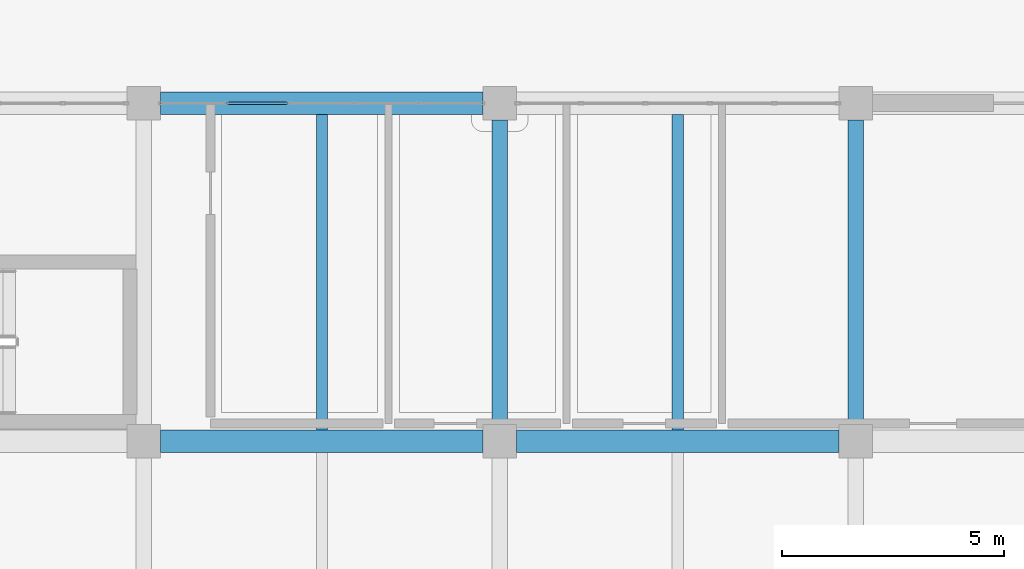
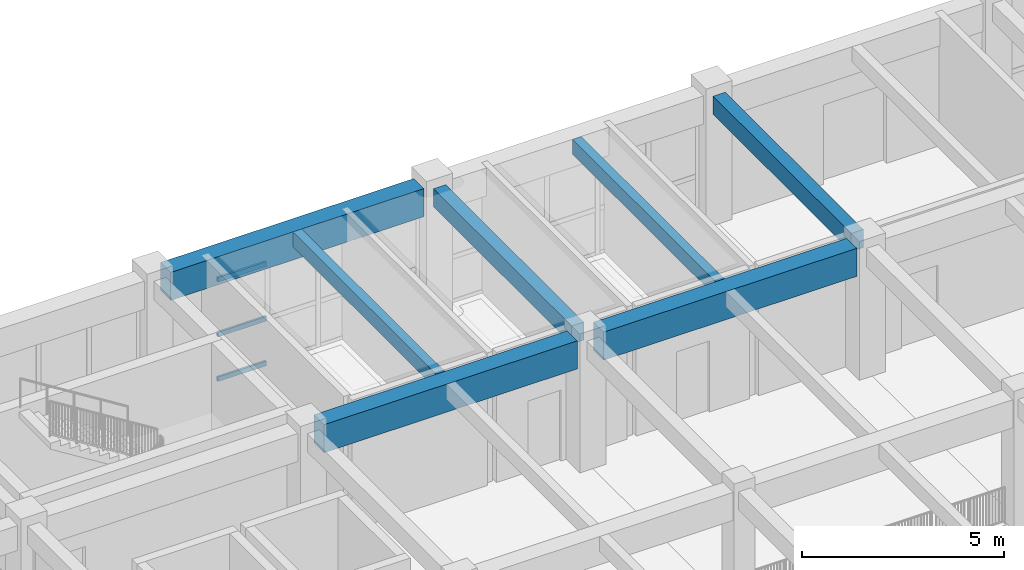
# One storey, part 24 of 63: 7 beams, 3 members, 1 element without a shape of its own.
"""IFC4 building model written with IfcOpenShell, lengths in metres."""

from ifc_helpers import new_model, si_unit, direction, frame, origin, origin_2d, place, context, subcontext, project, spatial, rectangle, hollow_rectangle, extrude, material, material_profile, profile_set, type_object, element, aggregate, save


model = new_model("IFC4")

# Units and contexts
model_context = context("Model", 3, precision=1e-05, world=origin(), true_north=direction((0.0, 1.0)))
body_context = subcontext(model_context, "Body", "Model", "MODEL_VIEW")
ifc_project = project(units=[si_unit("LENGTHUNIT", "METRE"), si_unit("AREAUNIT", "SQUARE_METRE"), si_unit("VOLUMEUNIT", "CUBIC_METRE"), si_unit("PLANEANGLEUNIT", "RADIAN"), si_unit("MASSUNIT", "GRAM", prefix="KILO")], contexts=[model_context])

# Site, building, storey
site_placement = place(None, origin())
site = spatial("IfcSite", under=ifc_project, at=site_placement, CompositionType="ELEMENT")
building_placement = place(site_placement, origin())
building = spatial("IfcBuilding", under=site, at=building_placement, Name="Zantavel Square City Hall", CompositionType="ELEMENT")
storey_placement = place(building_placement, frame((0.0, 0.0, 14.699951171875)))
storey = spatial("IfcBuildingStorey", under=building, at=storey_placement, Name="L04", CompositionType="ELEMENT", Elevation=14.699951171875)

# Curtain wall, members
ifc_material_1 = material(Name="Anodised aluminium 6063-T6", Category="aluminium")
curtain_wall_type = type_object("IfcCurtainWallType", Name="Curtain Wall TRV1 7250x3070", PredefinedType="USERDEFINED", material=ifc_material_1)
curtain_wall_placement = place(storey_placement, origin())
curtain_wall = element("IfcCurtainWall", 1, at=curtain_wall_placement, inside=storey, type_object=curtain_wall_type, Name="L04 Glazed Curtain Wall CW-L04-108", ObjectType="GLAZED CURTAIN WALL", PredefinedType="USERDEFINED")
ifc_material_profile_1 = material_profile(ifc_material_1, hollow_rectangle(XDim=0.06005859375, YDim=0.139892578125, WallThickness=0.00390625, at=origin_2d()), Name="ALU 60x140x4")
ifc_profile_set_1 = profile_set([ifc_material_profile_1], Name="Anodised aluminium 6063-T6")
member_type = type_object("IfcMemberType", Name="CW Transom ALU 60x140x4", PredefinedType="USERDEFINED", material=ifc_profile_set_1)
member_1_placement = place(storey_placement, frame((73.85498046875, 68.39990234375, 0.030029296875), z_axis=(1.0, 0.0, 0.0), x_axis=(0.0, 1.0, 0.0)))
member_1 = element("IfcMember", 2, at=member_1_placement, type_object=member_type, Name="CW-108 transom 2.1", ObjectType="TRANSOM", PredefinedType="USERDEFINED", context=body_context, shape_type="SweptSolid", body=[
    extrude(hollow_rectangle(XDim=0.06005859375, YDim=0.139892578125, WallThickness=0.00390625, at=origin_2d()), origin(), (0.0, 0.0, 1.0), 1.39013671875),
])
member_2_placement = place(storey_placement, frame((73.85498046875, 68.39990234375, 1.381103515625), z_axis=(1.0, 0.0, 0.0), x_axis=(0.0, 1.0, 0.0)))
member_2 = element("IfcMember", 3, at=member_2_placement, type_object=member_type, Name="CW-108 transom 2.2", ObjectType="TRANSOM", PredefinedType="USERDEFINED", context=body_context, shape_type="SweptSolid", body=[
    extrude(hollow_rectangle(XDim=0.06005859375, YDim=0.139892578125, WallThickness=0.00390625, at=origin_2d()), origin(), (0.0, 0.0, 1.0), 1.39013671875),
])
member_3_placement = place(storey_placement, frame((73.85498046875, 68.39990234375, 3.0400390625), z_axis=(1.0, 0.0, 0.0), x_axis=(0.0, 1.0, 0.0)))
member_3 = element("IfcMember", 4, at=member_3_placement, type_object=member_type, Name="CW-108 transom 2.3", ObjectType="TRANSOM", PredefinedType="USERDEFINED", context=body_context, shape_type="SweptSolid", body=[
    extrude(hollow_rectangle(XDim=0.06005859375, YDim=0.139892578125, WallThickness=0.00390625, at=origin_2d()), origin(), (0.0, 0.0, 1.0), 1.39013671875),
])
aggregate(curtain_wall, [member_1, member_2, member_3])

# Beams
ifc_material_2 = material(Name="Concrete C40/50", Category="concrete")
ifc_material_profile_2 = material_profile(ifc_material_2, rectangle(XDim=0.5, YDim=0.85009765625, at=origin_2d()), Name="RC 500x850")
ifc_profile_set_2 = profile_set([ifc_material_profile_2], Name="Concrete C40/50")
beam_type_1 = type_object("IfcBeamType", Name="Council Chamber Girder RC 500x850 C40/50", PredefinedType="BEAM", material=ifc_profile_set_2)
for number, where, z_axis, x_axis, name in (
    (5, (72.375, 60.800048828125, 3.4951171875), (1.0, 0.0, 0.0), (0.0, 1.0, 0.0), "L04 Girder BMX-L04-0720-0608"),
    (6, (72.375, 68.39990234375, 3.4951171875), (1.0, 0.0, 0.0), (0.0, 1.0, 0.0), "L04 Girder BMX-L04-0720-0684"),
    (7, (80.375, 60.800048828125, 3.4951171875), (1.0, 0.0, 0.0), (0.0, 1.0, 0.0), "L04 Girder BMX-L04-0800-0608"),
):
    element("IfcBeam", number, at=place(storey_placement, frame(where, z_axis=z_axis, x_axis=x_axis)), inside=storey, type_object=beam_type_1, Name=name, PredefinedType="BEAM", context=body_context, shape_type="SweptSolid", body=[
        extrude(rectangle(XDim=0.5, YDim=0.85009765625, at=origin_2d()), origin(), (0.0, 0.0, 1.0), 7.25),
    ])
ifc_material_3 = material(Name="Concrete C35/45", Category="concrete")
ifc_material_profile_3 = material_profile(ifc_material_3, rectangle(XDim=0.25, YDim=0.449951171875, at=origin_2d()), Name="RC 250x450")
ifc_profile_set_3 = profile_set([ifc_material_profile_3], Name="Concrete C35/45")
beam_type_2 = type_object("IfcBeamType", Name="Light Floor Joist RC 250x450 C35/45", PredefinedType="JOIST", material=ifc_profile_set_3)
for number, where, z_axis, x_axis, name in (
    (8, (76.0, 61.050048828125, 3.695068359375), (0.0, 1.0, 0.0), (-1.0, 0.0, 0.0), "L04 Floor Joist JST-L04-0760-0608"),
    (9, (84.0, 61.050048828125, 3.695068359375), (0.0, 1.0, 0.0), (-1.0, 0.0, 0.0), "L04 Floor Joist JST-L04-0840-0608"),
):
    element("IfcBeam", number, at=place(storey_placement, frame(where, z_axis=z_axis, x_axis=x_axis)), inside=storey, type_object=beam_type_2, Name=name, PredefinedType="JOIST", context=body_context, shape_type="SweptSolid", body=[
        extrude(rectangle(XDim=0.25, YDim=0.449951171875, at=origin_2d()), origin(), (0.0, 0.0, 1.0), 7.099853515625),
    ])
ifc_material_profile_4 = material_profile(ifc_material_3, rectangle(XDim=0.35009765625, YDim=0.550048828125, at=origin_2d()), Name="RC 350x550")
ifc_profile_set_4 = profile_set([ifc_material_profile_4], Name="Concrete C35/45")
beam_type_3 = type_object("IfcBeamType", Name="Secondary Beam RC 350x550 C35/45", PredefinedType="BEAM", material=ifc_profile_set_4)
for number, where, z_axis, x_axis, name in (
    (10, (80.0, 61.175048828125, 3.64501953125), (0.0, 1.0, 0.0), (-1.0, 0.0, 0.0), "L04 Beam BMY-L04-0800-0608"),
    (11, (88.0, 61.175048828125, 3.64501953125), (0.0, 1.0, 0.0), (-1.0, 0.0, 0.0), "L04 Beam BMY-L04-0880-0608"),
):
    element("IfcBeam", number, at=place(storey_placement, frame(where, z_axis=z_axis, x_axis=x_axis)), inside=storey, type_object=beam_type_3, Name=name, PredefinedType="BEAM", context=body_context, shape_type="SweptSolid", body=[
        extrude(rectangle(XDim=0.35009765625, YDim=0.550048828125, at=origin_2d()), origin(), (0.0, 0.0, 1.0), 6.849853515625),
    ])

save(model, "model.ifc")
